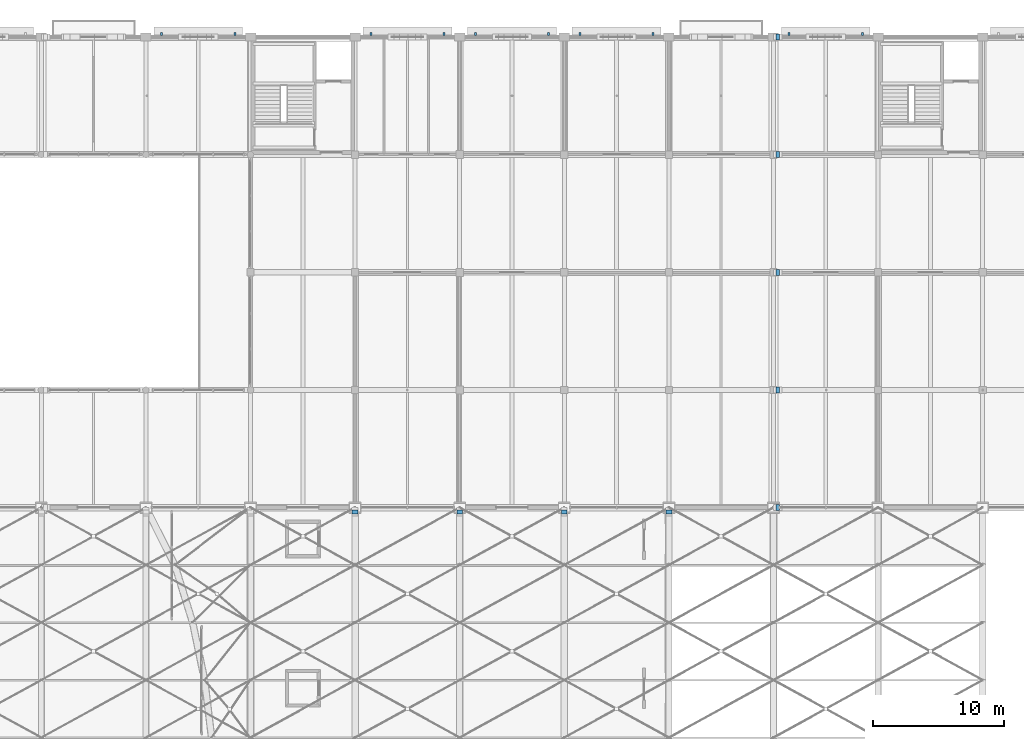
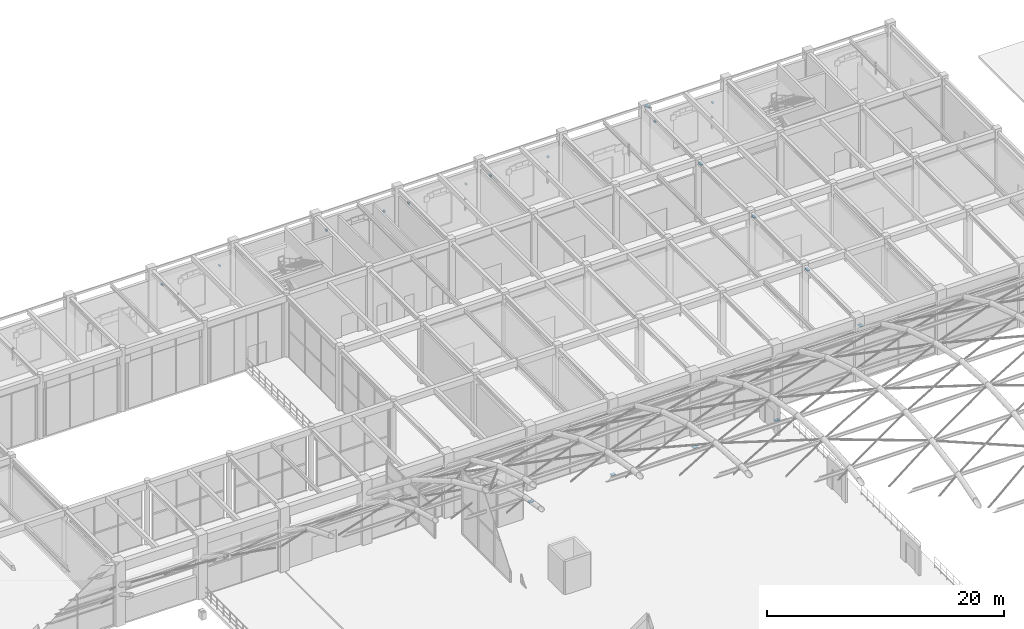
# One storey, part 154 of 163: 19 discrete accessories.
"""IFC4 building model written with IfcOpenShell, lengths in metres."""

from ifc_helpers import new_model, si_unit, direction, frame, origin, origin_2d, place, context, subcontext, project, spatial, rectangle, extrude, material, layer, layer_set, type_object, element, save


model = new_model("IFC4")

# Units and contexts
model_context = context("Model", 3, precision=1e-05, world=origin(), true_north=direction((0.0, 1.0)))
body_context = subcontext(model_context, "Body", "Model", "MODEL_VIEW")
ifc_project = project(units=[si_unit("LENGTHUNIT", "METRE"), si_unit("AREAUNIT", "SQUARE_METRE"), si_unit("VOLUMEUNIT", "CUBIC_METRE"), si_unit("PLANEANGLEUNIT", "RADIAN"), si_unit("MASSUNIT", "GRAM", prefix="KILO")], contexts=[model_context])

# Site, building, storey
site_placement = place(None, origin())
site = spatial("IfcSite", under=ifc_project, at=site_placement, CompositionType="ELEMENT")
building_placement = place(site_placement, origin())
building = spatial("IfcBuilding", under=site, at=building_placement, Name="Varnabhumi Central Station", CompositionType="ELEMENT")
storey_placement = place(building_placement, frame((0.0, 0.0, 9.60009765625)))
storey = spatial("IfcBuildingStorey", under=building, at=storey_placement, Name="L02", CompositionType="ELEMENT", Elevation=9.60009765625)

# Discrete accessories
ifc_material = material(Name="Structural steel E350", Category="steel")
ifc_layer_1 = layer(ifc_material, 0.080078125, Name="Structural steel E350", Category="steel")
ifc_layer_set_1 = layer_set([ifc_layer_1], Name="Structural steel E350")
discrete_accessory_type_1 = type_object("IfcDiscreteAccessoryType", Name="ACC-BEARING-SHOE", PredefinedType="SHOE", material=ifc_layer_set_1)
for number, where, z_axis, x_axis, name in (
    (1, (120.324951171875, 80.0, 5.31982421875), (0.0, 0.0, 1.0), (1.0, 0.0, 0.0), "Movement Joint Bearing L02-K-16"),
    (2, (120.324951171875, 89.0, 5.619873046875), (0.0, 0.0, 1.0), (1.0, 0.0, 0.0), "Movement Joint Bearing L02-L-16"),
    (3, (120.324951171875, 98.0, 5.619873046875), (0.0, 0.0, 1.0), (1.0, 0.0, 0.0), "Movement Joint Bearing L02-M-16"),
    (4, (120.324951171875, 107.0, 5.619873046875), (0.0, 0.0, 1.0), (1.0, 0.0, 0.0), "Movement Joint Bearing L02-N-16"),
    (5, (120.324951171875, 116.0, 6.02978515625), (0.0, 0.0, 1.0), (1.0, 0.0, 0.0), "Movement Joint Bearing L02-P-16"),
):
    element("IfcDiscreteAccessory", number, at=place(storey_placement, frame(where, z_axis=z_axis, x_axis=x_axis)), inside=storey, type_object=discrete_accessory_type_1, Name=name, PredefinedType="SHOE", context=body_context, shape_type="SweptSolid", body=[
        extrude(rectangle(XDim=0.300048828125, YDim=0.449951171875, at=origin_2d()), origin(), (0.0, 0.0, 1.0), 0.080078125),
    ])
for number, where, z_axis, x_axis, name in (
    (6, (88.0, 79.675048828125, -1.300048828125), (0.0, 0.0, 1.0), (1.0, 0.0, 0.0), "Concourse Bridge Sliding Bearing 88-N"),
    (7, (96.0, 79.675048828125, -1.300048828125), (0.0, 0.0, 1.0), (1.0, 0.0, 0.0), "Concourse Bridge Sliding Bearing 96-N"),
    (8, (104.0, 79.675048828125, -1.300048828125), (0.0, 0.0, 1.0), (1.0, 0.0, 0.0), "Concourse Bridge Sliding Bearing 104-N"),
    (9, (112.0, 79.675048828125, -1.300048828125), (0.0, 0.0, 1.0), (1.0, 0.0, 0.0), "Concourse Bridge Sliding Bearing 112-N"),
):
    element("IfcDiscreteAccessory", number, at=place(storey_placement, frame(where, z_axis=z_axis, x_axis=x_axis)), inside=storey, type_object=discrete_accessory_type_1, Name=name, PredefinedType="SHOE", context=body_context, shape_type="SweptSolid", body=[
        extrude(rectangle(XDim=0.449951171875, YDim=0.300048828125, at=origin_2d()), origin(), (0.0, 0.0, 1.0), 0.080078125),
    ])
ifc_layer_2 = layer(ifc_material, 0.159912109375, Name="Structural steel E350", Category="steel")
ifc_layer_set_2 = layer_set([ifc_layer_2], Name="Structural steel E350")
discrete_accessory_type_2 = type_object("IfcDiscreteAccessoryType", Name="ACC-SHADE-BRKT", PredefinedType="BRACKET", material=ifc_layer_set_2)
for number, where, z_axis, x_axis, name in (
    (10, (73.199951171875, 116.22998046875, 4.02001953125), (0.0, 0.0, 1.0), (1.0, 0.0, 0.0), "Chajja Bracket N-L02-7L"),
    (11, (78.800048828125, 116.22998046875, 4.02001953125), (0.0, 0.0, 1.0), (1.0, 0.0, 0.0), "Chajja Bracket N-L02-7R"),
    (12, (89.199951171875, 116.22998046875, 4.02001953125), (0.0, 0.0, 1.0), (1.0, 0.0, 0.0), "Chajja Bracket N-L02-9L"),
    (13, (94.800048828125, 116.22998046875, 4.02001953125), (0.0, 0.0, 1.0), (1.0, 0.0, 0.0), "Chajja Bracket N-L02-9R"),
    (14, (97.199951171875, 116.22998046875, 4.02001953125), (0.0, 0.0, 1.0), (1.0, 0.0, 0.0), "Chajja Bracket N-L02-10L"),
    (15, (102.800048828125, 116.22998046875, 4.02001953125), (0.0, 0.0, 1.0), (1.0, 0.0, 0.0), "Chajja Bracket N-L02-10R"),
    (16, (105.199951171875, 116.22998046875, 4.02001953125), (0.0, 0.0, 1.0), (1.0, 0.0, 0.0), "Chajja Bracket N-L02-11L"),
    (17, (110.800048828125, 116.22998046875, 4.02001953125), (0.0, 0.0, 1.0), (1.0, 0.0, 0.0), "Chajja Bracket N-L02-11R"),
    (18, (121.199951171875, 116.22998046875, 4.02001953125), (0.0, 0.0, 1.0), (1.0, 0.0, 0.0), "Chajja Bracket N-L02-13L"),
    (19, (126.800048828125, 116.22998046875, 4.02001953125), (0.0, 0.0, 1.0), (1.0, 0.0, 0.0), "Chajja Bracket N-L02-13R"),
):
    element("IfcDiscreteAccessory", number, at=place(storey_placement, frame(where, z_axis=z_axis, x_axis=x_axis)), inside=storey, type_object=discrete_accessory_type_2, Name=name, PredefinedType="BRACKET", context=body_context, shape_type="SweptSolid", body=[
        extrude(rectangle(XDim=0.159912109375, YDim=0.239990234375, at=origin_2d()), origin(), (0.0, 0.0, 1.0), 0.159912109375),
    ])

save(model, "model.ifc")
